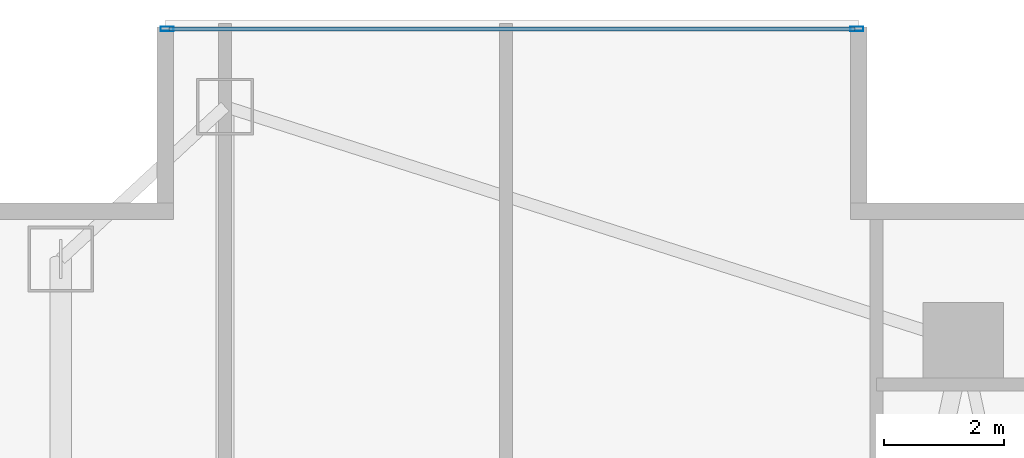
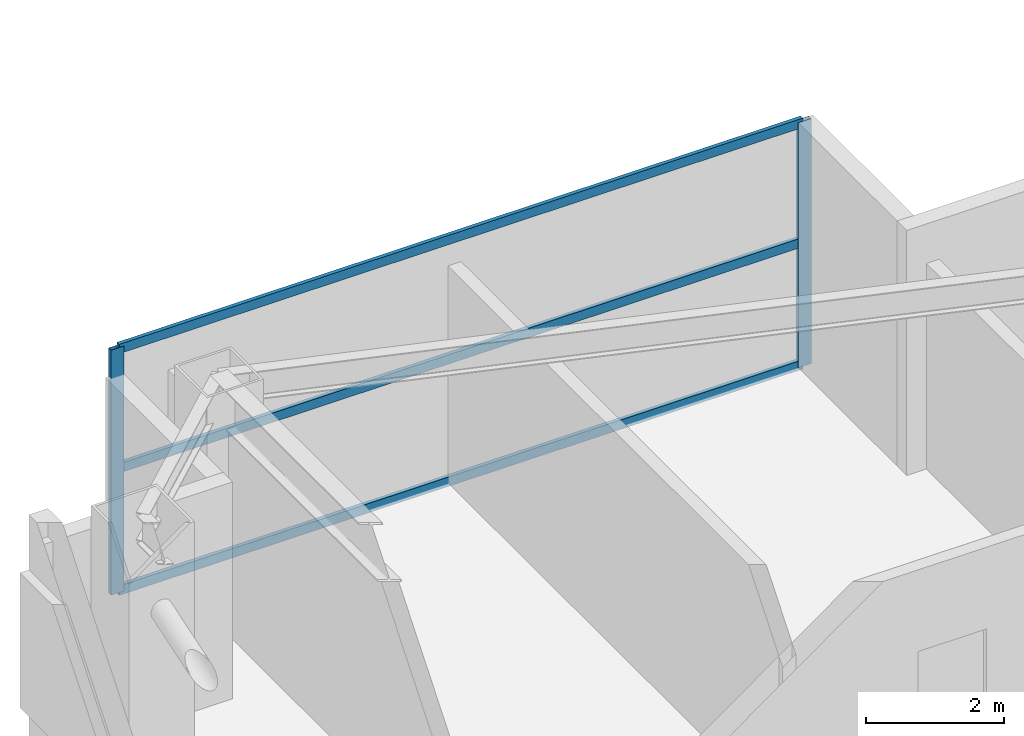
# One storey, part 8 of 18: 5 members, 1 element without a shape of its own.
"""IFC4 building model written with IfcOpenShell, lengths in metres."""

import ifcopenshell
import ifcopenshell.guid

model = None  # the IFC model being written
_history = None  # IfcOwnerHistory: only IFC2X3 demands one
_inside = {}  # id of a spatial element -> (the spatial element, [elements in it])
_under = {}  # id of a project, library or spatial element -> (it, [spatial elements below it])
_declared = {}  # id of a project -> (the project, [libraries it declares])
_typed = {}  # id of a type object -> (the type object, [elements of that type])
_made_of = {}  # id of a material, layer set ... -> (it, [elements and type objects made of it])


def new_model(schema):
    """Start an empty IFC model of exactly this schema.

    Asked for "IFC4X3", IfcOpenShell would pick the latest addendum, in which some entities
    have other attributes; the version numbers below select the first issue.
    IFC2X3 requires an IfcOwnerHistory on every rooted entity: one is made here for all.
    """
    global model, _history
    if schema == "IFC4X3":
        model = ifcopenshell.file(schema_version=(4, 3, 0, 0))
    else:
        model = ifcopenshell.file(schema=schema)
    _inside.clear()
    _under.clear()
    _declared.clear()
    _typed.clear()
    _made_of.clear()
    _history = None
    if model.schema == "IFC2X3":
        org = make("IfcOrganization", Name="unknown")
        user = make(
            "IfcPersonAndOrganization",
            ThePerson=make("IfcPerson", FamilyName="unknown"),
            TheOrganization=org,
        )
        app = make(
            "IfcApplication",
            ApplicationDeveloper=org,
            Version="unknown",
            ApplicationFullName="unknown",
            ApplicationIdentifier="unknown",
        )
        _history = make(
            "IfcOwnerHistory",
            OwningUser=user,
            OwningApplication=app,
            ChangeAction="ADDED",
            CreationDate=0,
        )
    return model


def make(cls, **values):
    """One entity of the class cls with the attributes given. An attribute that is None is left unset."""
    return model.create_entity(
        cls, **{name: value for name, value in values.items() if value is not None}
    )


def rooted(cls, **values):
    """An entity with a GlobalId (a new one), such as an element, a storey or a relation."""
    return make(cls, GlobalId=ifcopenshell.guid.new(), OwnerHistory=_history, **values)


def si_unit(unit_type, name, prefix=None):
    """IfcSIUnit, for example si_unit("LENGTHUNIT", "METRE", prefix="MILLI")."""
    return make("IfcSIUnit", UnitType=unit_type, Prefix=prefix, Name=name)


def assignment(units):
    """IfcUnitAssignment: the units of a project."""
    return None if units is None else make("IfcUnitAssignment", Units=units)


def point(xyz):
    """IfcCartesianPoint."""
    return None if xyz is None else make("IfcCartesianPoint", Coordinates=xyz)


def direction(xyz):
    """IfcDirection."""
    return None if xyz is None else make("IfcDirection", DirectionRatios=xyz)


def frame(location, z_axis=None, x_axis=None):
    """IfcAxis2Placement3D, a coordinate frame: its origin and axes. An axis left out is left unset."""
    return make(
        "IfcAxis2Placement3D",
        Location=point(location),
        Axis=direction(z_axis),
        RefDirection=direction(x_axis),
    )


def frame_2d(location, x_axis=None):
    """IfcAxis2Placement2D, a coordinate frame in the plane: its origin and x axis."""
    return make(
        "IfcAxis2Placement2D", Location=point(location), RefDirection=direction(x_axis)
    )


def origin():
    """The frame at (0, 0, 0) with its axes left unset."""
    return frame((0.0, 0.0, 0.0))


def origin_2d():
    """The frame at (0, 0) in the plane with its x axis left unset."""
    return frame_2d((0.0, 0.0))


def place(relative_to, where):
    """IfcLocalPlacement: puts the frame where relative to a parent placement (None: the world)."""
    return make(
        "IfcLocalPlacement", PlacementRelTo=relative_to, RelativePlacement=where
    )


def context(
    kind, dimensions, precision=None, world=None, true_north=None, identifier=None
):
    """IfcGeometricRepresentationContext, for example the 3D "Model" context."""
    return make(
        "IfcGeometricRepresentationContext",
        ContextIdentifier=identifier,
        ContextType=kind,
        CoordinateSpaceDimension=dimensions,
        Precision=precision,
        WorldCoordinateSystem=world,
        TrueNorth=true_north,
    )


def subcontext(parent, identifier, kind, view, scale=None):
    """IfcGeometricRepresentationSubContext, for example "Body" below "Model"."""
    return make(
        "IfcGeometricRepresentationSubContext",
        ContextIdentifier=identifier,
        ContextType=kind,
        ParentContext=parent,
        TargetScale=scale,
        TargetView=view,
    )


def project(units=None, contexts=None):
    """IfcProject with its units and contexts."""
    return rooted(
        "IfcProject",
        Name="project",
        RepresentationContexts=contexts,
        UnitsInContext=assignment(units),
    )


def spatial(cls, under=None, at=None, **own):
    """A site, building, storey or space (cls), placed at a placement, below another one or the project."""
    s = rooted(cls, ObjectPlacement=at, **own)
    if under is not None:
        _under.setdefault(under.id(), (under, []))[1].append(s)
    return s


def profile(cls, at=None, kind="AREA", **sizes):
    """A parametric profile (cls). Its sizes go by their IFC names, for example OverallWidth=200.0."""
    return make(cls, ProfileType=kind, Position=at, **sizes)


def hollow_rectangle(**sizes):
    """IfcRectangleHollowProfileDef."""
    return profile("IfcRectangleHollowProfileDef", **sizes)


def extrude(swept, where, along, depth):
    """IfcExtrudedAreaSolid: the profile swept, set in the frame where, extruded along a direction by depth."""
    return make(
        "IfcExtrudedAreaSolid",
        SweptArea=swept,
        Position=where,
        ExtrudedDirection=direction(along),
        Depth=depth,
    )


def shape(context_of_items, identifier, shape_type, items):
    """IfcShapeRepresentation: the items that make up one representation, for example the "Body"."""
    return make(
        "IfcShapeRepresentation",
        ContextOfItems=context_of_items,
        RepresentationIdentifier=identifier,
        RepresentationType=shape_type,
        Items=items,
    )


def material(Name=None, Category=None):
    """IfcMaterial."""
    return make("IfcMaterial", Name=Name, Category=Category)


def layer(
    of_material, thickness, ventilated=None, Name=None, Category=None, Priority=None
):
    """IfcMaterialLayer: one layer of a wall or slab, of a material (None: an air gap)."""
    return make(
        "IfcMaterialLayer",
        Material=of_material,
        LayerThickness=thickness,
        IsVentilated=ventilated,
        Name=Name,
        Category=Category,
        Priority=Priority,
    )


def layer_set(layers, Name=None):
    """IfcMaterialLayerSet."""
    return make("IfcMaterialLayerSet", MaterialLayers=layers, LayerSetName=Name)


def material_profile(
    of_material, cross_section, Name=None, Category=None, Priority=None
):
    """IfcMaterialProfile: a cross section and its material."""
    return make(
        "IfcMaterialProfile",
        Name=Name,
        Material=of_material,
        Profile=cross_section,
        Priority=Priority,
        Category=Category,
    )


def profile_set(profiles, Name=None, composite=None):
    """IfcMaterialProfileSet."""
    return make(
        "IfcMaterialProfileSet",
        Name=Name,
        MaterialProfiles=profiles,
        CompositeProfile=composite,
    )


def made_of(thing, what):
    """Note that an element or type object is made of a material, layer set ...; save() writes the relation."""
    if what is not None:
        _made_of.setdefault(what.id(), (what, []))[1].append(thing)
    return thing


def type_object(cls, material=None, **own):
    """A type object (cls), such as IfcWallType, which elements share."""
    return made_of(rooted(cls, **own), material)


def element(
    cls,
    number,
    at=None,
    inside=None,
    cuts=None,
    type_object=None,
    material=None,
    context=None,
    identifier="Body",
    shape_type=None,
    held_by="IfcProductDefinitionShape",
    body=None,
    shapes=None,
    **own,
):
    """One element of the class cls, such as IfcWall. Its Tag is "e" and its number.

    at: its placement. inside: the storey or other place that contains it. cuts: it is an
    opening in that element (IfcRelVoidsElement). A single representation is given by context,
    identifier, shape_type and body (its items); several are given by shapes. held_by: the class
    of the entity that holds the representations. save() writes the other relations.
    """
    e = rooted(cls, Tag="e%d" % number, ObjectPlacement=at, **own)
    if body is not None:
        shapes = [shape(context, identifier, shape_type, body)]
    if shapes is not None:
        e.Representation = make(held_by, Representations=shapes)
    if inside is not None:
        _inside.setdefault(inside.id(), (inside, []))[1].append(e)
    if cuts is not None:
        rooted(
            "IfcRelVoidsElement", RelatingBuildingElement=cuts, RelatedOpeningElement=e
        )
    if type_object is not None:
        _typed.setdefault(type_object.id(), (type_object, []))[1].append(e)
    return made_of(e, material)


def aggregate(whole, parts):
    """IfcRelAggregates: a whole, such as a stair, and the parts it consists of."""
    return rooted("IfcRelAggregates", RelatingObject=whole, RelatedObjects=parts)


def save(model, path):
    """Write the relations noted so far, then the file.

    IfcRelAggregates (storeys below a building ...), IfcRelContainedInSpatialStructure (elements
    in a storey), IfcRelDefinesByType, IfcRelAssociatesMaterial and IfcRelDeclares: one each for
    every whole, place, type object, material and project.
    """
    for whole, parts in _under.values():
        aggregate(whole, parts)
    for where, things in _inside.values():
        rooted(
            "IfcRelContainedInSpatialStructure",
            RelatedElements=things,
            RelatingStructure=where,
        )
    for kind, things in _typed.values():
        rooted("IfcRelDefinesByType", RelatedObjects=things, RelatingType=kind)
    for what, things in _made_of.values():
        rooted("IfcRelAssociatesMaterial", RelatedObjects=things, RelatingMaterial=what)
    for by, libraries in _declared.values():
        rooted("IfcRelDeclares", RelatingContext=by, RelatedDefinitions=libraries)
    model.write(path)


model = new_model("IFC4")

# Units and contexts
model_context = context("Model", 3, precision=1e-05, world=origin(), true_north=direction((0.0, 1.0)))
body_context = subcontext(model_context, "Body", "Model", "MODEL_VIEW")
ifc_project = project(units=[si_unit("LENGTHUNIT", "METRE"), si_unit("AREAUNIT", "SQUARE_METRE"), si_unit("VOLUMEUNIT", "CUBIC_METRE"), si_unit("PLANEANGLEUNIT", "RADIAN"), si_unit("MASSUNIT", "GRAM", prefix="KILO")], contexts=[model_context])

# Site, building, storey
site_placement = place(None, origin())
site = spatial("IfcSite", under=ifc_project, at=site_placement, CompositionType="ELEMENT")
building_placement = place(site_placement, origin())
building = spatial("IfcBuilding", under=site, at=building_placement, Name="Calvorn Quay Hotel", CompositionType="ELEMENT")
storey_placement = place(building_placement, frame((0.0, 0.0, 92.60009765625)))
storey = spatial("IfcBuildingStorey", under=building, at=storey_placement, Name="L22", CompositionType="ELEMENT", Elevation=92.60009765625)

# Curtain wall, members
ifc_material_1 = material(Name="Pale Anodised Aluminium and Low-E Glass", Category="aluminium")
ifc_layer = layer(ifc_material_1, 0.219970703125)
ifc_layer_set = layer_set([ifc_layer], Name="CW-SYS-Z1")
curtain_wall_type = type_object("IfcCurtainWallType", Name="CW-SYS-Z1", PredefinedType="NOTDEFINED", material=ifc_layer_set)
curtain_wall_placement = place(storey_placement, origin())
curtain_wall = element("IfcCurtainWall", 1, at=curtain_wall_placement, inside=storey, type_object=curtain_wall_type, Name="Inner Court Curtain Wall L22-N1", PredefinedType="NOTDEFINED")
ifc_material_2 = material(Name="Pale Anodised Aluminium 6063-T6", Category="aluminium")
ifc_material_profile_1 = material_profile(ifc_material_2, hollow_rectangle(XDim=0.074951171875, YDim=0.219970703125, WallThickness=0.00439453125, at=origin_2d()), Name="ALU-M220x75x4.5")
ifc_profile_set_1 = profile_set([ifc_material_profile_1], Name="Pale Anodised Aluminium 6063-T6")
member_type_1 = type_object("IfcMemberType", Name="CW-SYS-Z1-MUL", PredefinedType="MULLION", material=ifc_profile_set_1)
member_1_placement = place(storey_placement, frame((14.77001953125, 50.85009765625, 0.0), z_axis=(0.0, 0.0, 1.0), x_axis=(0.0, -1.0, 0.0)))
member_1 = element("IfcMember", 2, at=member_1_placement, type_object=member_type_1, Name="CW-L22-N1 mullion 1", PredefinedType="MULLION", context=body_context, shape_type="SweptSolid", body=[
    extrude(hollow_rectangle(XDim=0.074951171875, YDim=0.219970703125, WallThickness=0.00439453125, at=origin_2d()), origin(), (0.0, 0.0, 1.0), 4.349853515625),
])
member_2_placement = place(storey_placement, frame((3.22998046875, 50.85009765625, 0.0), z_axis=(0.0, 0.0, 1.0), x_axis=(0.0, -1.0, 0.0)))
member_2 = element("IfcMember", 3, at=member_2_placement, type_object=member_type_1, Name="CW-L22-N1 mullion 2", PredefinedType="MULLION", context=body_context, shape_type="SweptSolid", body=[
    extrude(hollow_rectangle(XDim=0.074951171875, YDim=0.219970703125, WallThickness=0.00439453125, at=origin_2d()), origin(), (0.0, 0.0, 1.0), 4.349853515625),
])
ifc_material_3 = material(Name="Pale Anodised Aluminium 6063-T6", Category="aluminium")
ifc_material_profile_2 = material_profile(ifc_material_3, hollow_rectangle(XDim=0.06494140625, YDim=0.1650390625, WallThickness=0.00341796875, at=origin_2d()), Name="ALU-T165x65x3.5")
ifc_profile_set_2 = profile_set([ifc_material_profile_2], Name="Pale Anodised Aluminium 6063-T6")
member_type_2 = type_object("IfcMemberType", Name="CW-SYS-Z1-TRN", PredefinedType="USERDEFINED", material=ifc_profile_set_2)
member_3_placement = place(storey_placement, frame((14.739990234375, 50.85009765625, 0.02978515625), z_axis=(-1.0, 0.0, 0.0), x_axis=(0.0, -1.0, 0.0)))
member_3 = element("IfcMember", 4, at=member_3_placement, type_object=member_type_2, Name="CW-L22-N1 transom 1.1", ObjectType="TRANSOM", PredefinedType="USERDEFINED", context=body_context, shape_type="SweptSolid", body=[
    extrude(hollow_rectangle(XDim=0.06494140625, YDim=0.1650390625, WallThickness=0.00341796875, at=origin_2d()), origin(), (0.0, 0.0, 1.0), 11.47998046875),
])
member_4_placement = place(storey_placement, frame((14.739990234375, 50.85009765625, 2.199951171875), z_axis=(-1.0, 0.0, 0.0), x_axis=(0.0, -1.0, 0.0)))
member_4 = element("IfcMember", 5, at=member_4_placement, type_object=member_type_2, Name="CW-L22-N1 transom 1.2", ObjectType="TRANSOM", PredefinedType="USERDEFINED", context=body_context, shape_type="SweptSolid", body=[
    extrude(hollow_rectangle(XDim=0.06494140625, YDim=0.1650390625, WallThickness=0.00341796875, at=origin_2d()), origin(), (0.0, 0.0, 1.0), 11.47998046875),
])
member_5_placement = place(storey_placement, frame((14.739990234375, 50.85009765625, 4.31982421875), z_axis=(-1.0, 0.0, 0.0), x_axis=(0.0, -1.0, 0.0)))
member_5 = element("IfcMember", 6, at=member_5_placement, type_object=member_type_2, Name="CW-L22-N1 transom 1.3", ObjectType="TRANSOM", PredefinedType="USERDEFINED", context=body_context, shape_type="SweptSolid", body=[
    extrude(hollow_rectangle(XDim=0.06494140625, YDim=0.1650390625, WallThickness=0.00341796875, at=origin_2d()), origin(), (0.0, 0.0, 1.0), 11.47998046875),
])
aggregate(curtain_wall, [member_1, member_2, member_3, member_4, member_5])

save(model, "model.ifc")
